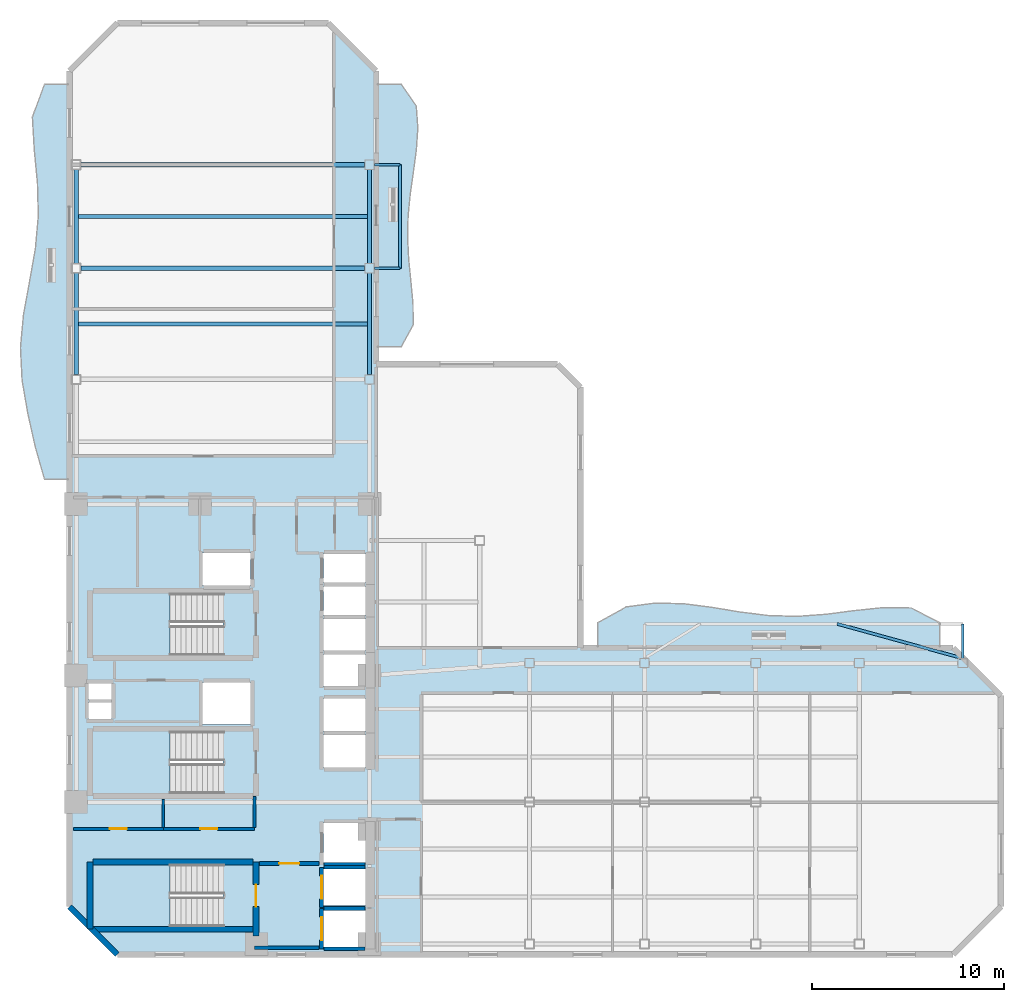
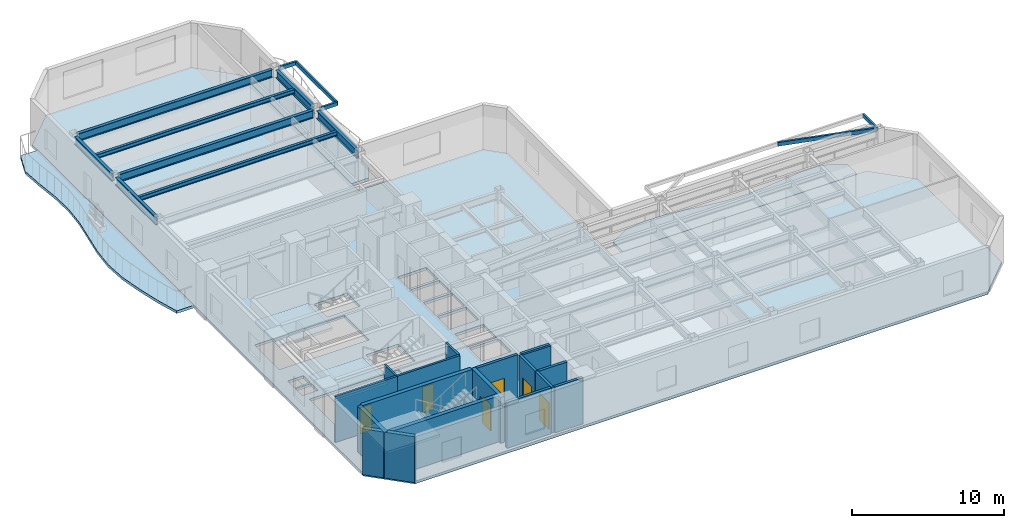
# One storey, part 2 of 9: 17 walls, 13 beams, 7 slabs, 6 doors, 6 openings, 3 elements without a shape of their own.
"""IFC4 building model written with IfcOpenShell, lengths in metres."""

from ifc_helpers import new_model, si_unit, direction, frame, frame_2d, origin, origin_2d, place, context, subcontext, project, spatial, polyline, rectangle, hollow_rectangle, i_section, outline, extrude, material, layer, layer_set, material_profile, profile_set, type_object, element, fill, aggregate, save


model = new_model("IFC4")

# Units and contexts
model_context = context("Model", 3, precision=1e-05, world=origin(), true_north=direction((0.0, 1.0)))
body_context = subcontext(model_context, "Body", "Model", "MODEL_VIEW")
ifc_project = project(units=[si_unit("LENGTHUNIT", "METRE"), si_unit("AREAUNIT", "SQUARE_METRE"), si_unit("VOLUMEUNIT", "CUBIC_METRE"), si_unit("PLANEANGLEUNIT", "RADIAN"), si_unit("MASSUNIT", "GRAM", prefix="KILO")], contexts=[model_context])

# Site, building, storey
site_placement = place(None, origin())
site = spatial("IfcSite", under=ifc_project, at=site_placement, CompositionType="ELEMENT")
building_placement = place(site_placement, origin())
building = spatial("IfcBuilding", under=site, at=building_placement, Name="Mawjaban Terraces University", CompositionType="ELEMENT")
storey_placement = place(building_placement, frame((0.0, 0.0, 107.300048828125)))
storey = spatial("IfcBuildingStorey", under=building, at=storey_placement, Name="L25", CompositionType="ELEMENT", Elevation=107.300048828125)

# Beams
ifc_material_1 = material(Name="Steel EN 10210-1 S355J2H", Category="steel")
ifc_material_profile_1 = material_profile(ifc_material_1, hollow_rectangle(XDim=0.14990234375, YDim=0.300048828125, WallThickness=0.012451171875, at=origin_2d()), Name="RHS300X150X12.5")
ifc_profile_set_1 = profile_set([ifc_material_profile_1], Name="Steel EN 10210-1 S355J2H")
beam_type_1 = type_object("IfcBeamType", Name="BalconyCantileverSpandrel_RHS", PredefinedType="SPANDREL", material=ifc_profile_set_1)
beam_1_placement = place(storey_placement, frame((68.60009765625, 15.449951171875, 3.5400390625), z_axis=(0.0, 1.0, 0.0), x_axis=(-1.0, 0.0, 0.0)))
element("IfcBeam", 1, at=beam_1_placement, inside=storey, type_object=beam_type_1, Name="L25 Exterior Outrigger BAL-L26-N.2", PredefinedType="SPANDREL", context=body_context, shape_type="SweptSolid", body=[
    extrude(hollow_rectangle(XDim=0.14990234375, YDim=0.300048828125, WallThickness=0.012451171875, at=origin_2d()), origin(), (0.0, 0.0, 1.0), 1.800048828125),
])
beam_2_placement = place(storey_placement, frame((68.60009765625, 15.449951171875, 3.5400390625), z_axis=(-0.964281358669, 0.264880088576, 0.0), x_axis=(-0.264880088576, -0.964281358669, 0.0)))
element("IfcBeam", 2, at=beam_2_placement, inside=storey, type_object=beam_type_1, Name="L25 Exterior Diagonal Strut BAL-L26-N.2", PredefinedType="SPANDREL", context=body_context, shape_type="SweptSolid", body=[
    extrude(hollow_rectangle(XDim=0.14990234375, YDim=0.300048828125, WallThickness=0.012451171875, at=origin_2d()), origin(), (0.0, 0.0, 1.0), 6.795654296875),
])
for number, where, z_axis, x_axis, name in (
    (3, (37.89990234375, 35.800048828125, 3.5400390625), (1.0, 0.0, 0.0), (0.0, 1.0, 0.0), "L25 Exterior Outrigger BAL-L26-E.1"),
    (4, (37.89990234375, 41.199951171875, 3.5400390625), (1.0, 0.0, 0.0), (0.0, 1.0, 0.0), "L25 Exterior Outrigger BAL-L26-E.2"),
):
    element("IfcBeam", number, at=place(storey_placement, frame(where, z_axis=z_axis, x_axis=x_axis)), inside=storey, type_object=beam_type_1, Name=name, PredefinedType="SPANDREL", context=body_context, shape_type="SweptSolid", body=[
        extrude(hollow_rectangle(XDim=0.14990234375, YDim=0.300048828125, WallThickness=0.012451171875, at=origin_2d()), origin(), (0.0, 0.0, 1.0), 1.35009765625),
    ])
beam_3_placement = place(storey_placement, frame((39.25, 35.800048828125, 3.5400390625), z_axis=(0.0, 1.0, 0.0), x_axis=(-1.0, 0.0, 0.0)))
element("IfcBeam", 5, at=beam_3_placement, inside=storey, type_object=beam_type_1, Name="L25 Exterior Edge Spandrel BAL-L26-E", PredefinedType="SPANDREL", context=body_context, shape_type="SweptSolid", body=[
    extrude(hollow_rectangle(XDim=0.14990234375, YDim=0.300048828125, WallThickness=0.012451171875, at=origin_2d()), origin(), (0.0, 0.0, 1.0), 5.39990234375),
])
ifc_material_2 = material(Name="Steel ASTM A572 Grade 50", Category="steel")
ifc_material_profile_2 = material_profile(ifc_material_2, i_section(OverallWidth=0.22998046875, OverallDepth=0.616943359375, WebThickness=0.01318359375, FlangeThickness=0.022216796875, at=origin_2d()), Name="W610X140")
ifc_profile_set_2 = profile_set([ifc_material_profile_2], Name="Steel ASTM A572 Grade 50")
beam_type_2 = type_object("IfcBeamType", Name="Beam_B_W610X140", PredefinedType="BEAM", material=ifc_profile_set_2)
for number, where, z_axis, x_axis, name in (
    (6, (22.60009765625, 35.800048828125, 3.380859375), (1.0, 0.0, 0.0), (0.0, 1.0, 0.0), "L25 Beam BM-L25-EW-15"),
    (7, (22.60009765625, 41.199951171875, 3.380859375), (1.0, 0.0, 0.0), (0.0, 1.0, 0.0), "L25 Beam BM-L25-EW-16"),
):
    element("IfcBeam", number, at=place(storey_placement, frame(where, z_axis=z_axis, x_axis=x_axis)), inside=storey, type_object=beam_type_2, Name=name, PredefinedType="BEAM", context=body_context, shape_type="SweptSolid", body=[
        extrude(i_section(OverallWidth=0.22998046875, OverallDepth=0.616943359375, WebThickness=0.01318359375, FlangeThickness=0.022216796875, at=origin_2d()), origin(), (0.0, 0.0, 1.0), 14.7998046875),
    ])
beam_4_placement = place(storey_placement, frame((22.35009765625, 30.25, 3.380859375), z_axis=(0.0, 1.0, 0.0), x_axis=(-1.0, 0.0, 0.0)))
element("IfcBeam", 8, at=beam_4_placement, inside=storey, type_object=beam_type_2, Name="L25 Beam BM-L25-NS-04", PredefinedType="BEAM", context=body_context, shape_type="SweptSolid", body=[
    extrude(i_section(OverallWidth=0.22998046875, OverallDepth=0.616943359375, WebThickness=0.01318359375, FlangeThickness=0.022216796875, at=origin_2d()), origin(), (0.0, 0.0, 1.0), 5.300048828125),
])
beam_5_placement = place(storey_placement, frame((22.35009765625, 36.050048828125, 3.380859375), z_axis=(0.0, 1.0, 0.0), x_axis=(-1.0, 0.0, 0.0)))
element("IfcBeam", 9, at=beam_5_placement, inside=storey, type_object=beam_type_2, Name="L25 Beam BM-L25-NS-05", PredefinedType="BEAM", context=body_context, shape_type="SweptSolid", body=[
    extrude(i_section(OverallWidth=0.22998046875, OverallDepth=0.616943359375, WebThickness=0.01318359375, FlangeThickness=0.022216796875, at=origin_2d()), origin(), (0.0, 0.0, 1.0), 4.89990234375),
])
beam_6_placement = place(storey_placement, frame((37.64990234375, 30.25, 3.380859375), z_axis=(0.0, 1.0, 0.0), x_axis=(-1.0, 0.0, 0.0)))
element("IfcBeam", 10, at=beam_6_placement, inside=storey, type_object=beam_type_2, Name="L25 Beam BM-L25-NS-10", PredefinedType="BEAM", context=body_context, shape_type="SweptSolid", body=[
    extrude(i_section(OverallWidth=0.22998046875, OverallDepth=0.616943359375, WebThickness=0.01318359375, FlangeThickness=0.022216796875, at=origin_2d()), origin(), (0.0, 0.0, 1.0), 5.300048828125),
])
beam_7_placement = place(storey_placement, frame((37.64990234375, 36.050048828125, 3.380859375), z_axis=(0.0, 1.0, 0.0), x_axis=(-1.0, 0.0, 0.0)))
element("IfcBeam", 11, at=beam_7_placement, inside=storey, type_object=beam_type_2, Name="L25 Beam BM-L25-NS-11", PredefinedType="BEAM", context=body_context, shape_type="SweptSolid", body=[
    extrude(i_section(OverallWidth=0.22998046875, OverallDepth=0.616943359375, WebThickness=0.01318359375, FlangeThickness=0.022216796875, at=origin_2d()), origin(), (0.0, 0.0, 1.0), 4.89990234375),
])
ifc_material_profile_3 = material_profile(ifc_material_2, i_section(OverallWidth=0.202880859375, OverallDepth=0.346923828125, WebThickness=0.0078125, FlangeThickness=0.013427734375, at=origin_2d()), Name="W360X64")
ifc_profile_set_3 = profile_set([ifc_material_profile_3], Name="Steel ASTM A572 Grade 50")
beam_type_3 = type_object("IfcBeamType", Name="Beam_J_W360X64", PredefinedType="JOIST", material=ifc_profile_set_3)
for number, where, z_axis, x_axis, name in (
    (12, (22.429931640625, 32.89990234375, 3.515869140625), (1.0, 0.0, 0.0), (0.0, 1.0, 0.0), "L25 Composite Joist JST-L25-19"),
    (13, (22.429931640625, 38.5, 3.515869140625), (1.0, 0.0, 0.0), (0.0, 1.0, 0.0), "L25 Composite Joist JST-L25-20"),
):
    element("IfcBeam", number, at=place(storey_placement, frame(where, z_axis=z_axis, x_axis=x_axis)), inside=storey, type_object=beam_type_3, Name=name, PredefinedType="JOIST", context=body_context, shape_type="SweptSolid", body=[
        extrude(i_section(OverallWidth=0.202880859375, OverallDepth=0.346923828125, WebThickness=0.0078125, FlangeThickness=0.013427734375, at=origin_2d()), origin(), (0.0, 0.0, 1.0), 15.14013671875),
    ])

# Slabs
ifc_material_3 = material(Name="Concrete C40/50", Category="concrete")
ifc_layer_1 = layer(ifc_material_3, 0.2099609375)
ifc_layer_set_1 = layer_set([ifc_layer_1], Name="Concrete C40/50")
slab_type_1 = type_object("IfcSlabType", Name="BalconySlab_210_Ext", PredefinedType="FLOOR", material=ifc_layer_set_1)
slab_1_placement = place(storey_placement, frame((0.0, 0.0, -0.2099609375)))
element("IfcSlab", 14, at=slab_1_placement, inside=storey, type_object=slab_type_1, Name="L25 Planted Balcony Slab west", PredefinedType="FLOOR", context=body_context, shape_type="SweptSolid", body=[
    extrude(outline(polyline([(22.010009765625, 24.800048828125), (22.010009765625, 45.39990234375), (20.699951171875, 45.39990234375), (20.06689453125, 43.68310546875), (20.166015625, 41.967041015625), (20.330078125, 40.25), (20.3759765625, 38.532958984375), (20.221923828125, 36.81689453125), (19.916015625, 35.10009765625), (19.60205078125, 33.383056640625), (19.444091796875, 31.6669921875), (19.529052734375, 29.949951171875), (19.825927734375, 28.23291015625), (20.208984375, 26.51708984375), (20.699951171875, 24.800048828125), (22.010009765625, 24.800048828125)])), origin(), (0.0, 0.0, 1.0), 0.2099609375),
])
slab_2_placement = place(storey_placement, frame((0.0, 0.0, -0.2099609375)))
element("IfcSlab", 15, at=slab_2_placement, inside=storey, type_object=slab_type_1, Name="L25 Planted Balcony Slab inner_north", PredefinedType="FLOOR", context=body_context, shape_type="SweptSolid", body=[
    extrude(outline(polyline([(49.555908203125, 15.989990234375), (67.39990234375, 15.989990234375), (67.39990234375, 17.300048828125), (65.9130859375, 18.077880859375), (64.426025390625, 18.094970703125), (62.93896484375, 17.93994140625), (61.451904296875, 17.748046875), (59.965087890625, 17.639892578125), (58.47802734375, 17.681884765625), (56.990966796875, 17.865966796875), (55.50390625, 18.112060546875), (54.01708984375, 18.302001953125), (52.530029296875, 18.330078125), (51.04296875, 18.135009765625), (49.555908203125, 17.300048828125), (49.555908203125, 15.989990234375)])), origin(), (0.0, 0.0, 1.0), 0.2099609375),
])
slab_3_placement = place(storey_placement, frame((0.0, 0.0, -0.2099609375)))
element("IfcSlab", 16, at=slab_3_placement, inside=storey, type_object=slab_type_1, Name="L25 Planted Balcony Slab inner_east", PredefinedType="FLOOR", context=body_context, shape_type="SweptSolid", body=[
    extrude(outline(polyline([(39.300048828125, 31.699951171875), (39.929931640625, 32.842041015625), (39.91796875, 33.98291015625), (39.80908203125, 35.125), (39.695068359375, 36.26708984375), (39.636962890625, 37.407958984375), (39.6650390625, 38.550048828125), (39.779052734375, 39.69189453125), (39.94189453125, 40.8330078125), (40.095947265625, 41.97509765625), (40.172119140625, 43.116943359375), (40.092041015625, 44.258056640625), (39.300048828125, 45.39990234375), (37.989990234375, 45.39990234375), (37.989990234375, 31.699951171875), (39.300048828125, 31.699951171875)])), origin(), (0.0, 0.0, 1.0), 0.2099609375),
])
ifc_layer_2 = layer(ifc_material_3, 0.2099609375)
ifc_layer_set_2 = layer_set([ifc_layer_2], Name="Concrete C40/50")
slab_type_2 = type_object("IfcSlabType", Name="CompositeSlab_210", PredefinedType="FLOOR", material=ifc_layer_set_2)
slab_4_placement = place(storey_placement, frame((0.0, 0.0, -0.2099609375)))
element("IfcSlab", 17, at=slab_4_placement, inside=storey, type_object=slab_type_2, Name="L25 Primary Structural Slab", PredefinedType="FLOOR", context=body_context, shape_type="SweptSolid", body=[
    extrude(outline(polyline([(24.5, 0.0), (68.10009765625, 0.0), (70.60009765625, 2.5), (70.60009765625, 13.5), (68.10009765625, 16.0), (48.656005859375, 16.0), (48.656005859375, 29.60009765625), (47.4560546875, 30.800048828125), (38.0, 30.800048828125), (38.0, 46.10009765625), (35.5, 48.60009765625), (24.5, 48.60009765625), (22.0, 46.10009765625), (22.0, 2.5), (24.5, 0.0)]), holes=[polyline([(30.014892578125, 4.699951171875), (23.199951171875, 4.699951171875), (23.199951171875, 1.449951171875), (30.014892578125, 1.449951171875), (30.014892578125, 4.699951171875)]), polyline([(30.014892578125, 18.85009765625), (23.199951171875, 18.85009765625), (23.199951171875, 15.60009765625), (30.014892578125, 15.60009765625), (30.014892578125, 18.85009765625)]), polyline([(30.014892578125, 11.64990234375), (23.199951171875, 11.64990234375), (23.199951171875, 8.39990234375), (30.014892578125, 8.39990234375), (30.014892578125, 11.64990234375)]), polyline([(35.25, 0.39990234375), (37.449951171875, 0.39990234375), (37.449951171875, 2.300048828125), (35.25, 2.300048828125), (35.25, 0.39990234375)]), polyline([(35.25, 2.550048828125), (37.449951171875, 2.550048828125), (37.449951171875, 4.449951171875), (35.25, 4.449951171875), (35.25, 2.550048828125)]), polyline([(35.25, 4.800048828125), (37.449951171875, 4.800048828125), (37.449951171875, 6.85009765625), (35.25, 6.85009765625), (35.25, 4.800048828125)]), polyline([(35.25, 9.75), (37.449951171875, 9.75), (37.449951171875, 11.449951171875), (35.25, 11.449951171875), (35.25, 9.75)]), polyline([(35.25, 11.64990234375), (37.449951171875, 11.64990234375), (37.449951171875, 13.35009765625), (35.25, 13.35009765625), (35.25, 11.64990234375)]), polyline([(28.949951171875, 12.0), (31.449951171875, 12.0), (31.449951171875, 14.199951171875), (28.949951171875, 14.199951171875), (28.949951171875, 12.0)]), polyline([(35.25, 14.0), (37.449951171875, 14.0), (37.449951171875, 15.64990234375), (35.25, 15.64990234375), (35.25, 14.0)]), polyline([(35.25, 15.85009765625), (37.449951171875, 15.85009765625), (37.449951171875, 17.5), (35.25, 17.5), (35.25, 15.85009765625)]), polyline([(35.25, 17.699951171875), (37.449951171875, 17.699951171875), (37.449951171875, 19.199951171875), (35.25, 19.199951171875), (35.25, 17.699951171875)]), polyline([(35.25, 19.39990234375), (37.449951171875, 19.39990234375), (37.449951171875, 20.89990234375), (35.25, 20.89990234375), (35.25, 19.39990234375)]), polyline([(28.949951171875, 19.25), (31.449951171875, 19.25), (31.449951171875, 20.949951171875), (28.949951171875, 20.949951171875), (28.949951171875, 19.25)]), polyline([(23.0, 12.25), (24.199951171875, 12.25), (24.199951171875, 13.14990234375), (23.0, 13.14990234375), (23.0, 12.25)]), polyline([(23.0, 13.300048828125), (24.199951171875, 13.300048828125), (24.199951171875, 14.179931640625), (23.0, 14.179931640625), (23.0, 13.300048828125)])]), origin(), (0.0, 0.0, 1.0), 0.2099609375),
])

# Stair, slab
stair_type = type_object("IfcStairType", Name="Stair_Core1550_H39", PredefinedType="HALF_TURN_STAIR", material=ifc_material_3)
stair_1_placement = place(storey_placement, origin())
stair_1 = element("IfcStair", 18, at=stair_1_placement, inside=storey, type_object=stair_type, Name="L25 Core Exit Stair 1", PredefinedType="HALF_TURN_STAIR")
ifc_layer_3 = layer(ifc_material_3, 0.199951171875)
ifc_layer_set_3 = layer_set([ifc_layer_3], Name="Concrete C40/50")
slab_type_3 = type_object("IfcSlabType", Name="StairLandingSlab_200", PredefinedType="LANDING", material=ifc_layer_set_3)
slab_5_placement = place(storey_placement, frame((0.0, 0.0, 1.75)))
slab_5 = element("IfcSlab", 19, at=slab_5_placement, type_object=slab_type_3, Name="ST-1 landing 1", PredefinedType="LANDING", context=body_context, shape_type="SweptSolid", body=[
    extrude(outline(polyline([(27.25, 4.699951171875), (23.199951171875, 4.699951171875), (23.199951171875, 1.449951171875), (27.25, 1.449951171875), (27.25, 4.699951171875)])), origin(), (0.0, 0.0, 1.0), 0.199951171875),
])
aggregate(stair_1, [slab_5])

stair_2_placement = place(storey_placement, origin())
stair_2 = element("IfcStair", 20, at=stair_2_placement, inside=storey, type_object=stair_type, Name="L25 Core Exit Stair 2", PredefinedType="HALF_TURN_STAIR")
slab_6_placement = place(storey_placement, frame((0.0, 0.0, 1.75)))
slab_6 = element("IfcSlab", 21, at=slab_6_placement, type_object=slab_type_3, Name="ST-2 landing 1", PredefinedType="LANDING", context=body_context, shape_type="SweptSolid", body=[
    extrude(outline(polyline([(27.25, 18.85009765625), (23.199951171875, 18.85009765625), (23.199951171875, 15.60009765625), (27.25, 15.60009765625), (27.25, 18.85009765625)])), origin(), (0.0, 0.0, 1.0), 0.199951171875),
])
aggregate(stair_2, [slab_6])

stair_3_placement = place(storey_placement, origin())
stair_3 = element("IfcStair", 22, at=stair_3_placement, inside=storey, type_object=stair_type, Name="L25 Core Exit Stair 3", PredefinedType="HALF_TURN_STAIR")
slab_7_placement = place(storey_placement, frame((0.0, 0.0, 1.75)))
slab_7 = element("IfcSlab", 23, at=slab_7_placement, type_object=slab_type_3, Name="ST-3 landing 1", PredefinedType="LANDING", context=body_context, shape_type="SweptSolid", body=[
    extrude(outline(polyline([(27.25, 11.64990234375), (23.199951171875, 11.64990234375), (23.199951171875, 8.39990234375), (27.25, 8.39990234375), (27.25, 11.64990234375)])), origin(), (0.0, 0.0, 1.0), 0.199951171875),
])
aggregate(stair_3, [slab_7])

# Wall, opening, door
ifc_material_4 = material(Name="Fire-rated gypsum board on steel stud", Category="steel")
ifc_layer_4 = layer(ifc_material_4, 0.159912109375)
ifc_layer_set_4 = layer_set([ifc_layer_4], Name="Fire-rated gypsum board on steel stud")
wall_type_1 = type_object("IfcWallType", Name="CorridorPartition_160", PredefinedType="PARTITIONING", material=ifc_layer_set_4)
wall_1_placement = place(storey_placement, frame((26.89990234375, 6.550048828125, 0.0), z_axis=(0.0, 0.0, 1.0), x_axis=(-1.0, 0.0, 0.0)))
wall_1 = element("IfcWall", 24, at=wall_1_placement, inside=storey, type_object=wall_type_1, Name="L25 Core Washroom Lobby Partition 4", PredefinedType="PARTITIONING", context=body_context, shape_type="SweptSolid", body=[
    extrude(rectangle(XDim=4.699951171875, YDim=0.159912109375, at=frame_2d((2.35009765625, 0.0))), origin(), (0.0, 0.0, 1.0), 3.68994140625),
])
opening_1_placement = place(wall_1_placement, frame((1.909912109375, 0.0, 0.0)))
opening_1 = element("IfcOpeningElement", 25, at=opening_1_placement, cuts=wall_1, Name="Opening ID-088", PredefinedType="OPENING", context=body_context, shape_type="SweptSolid", body=[
    extrude(rectangle(XDim=0.8798828125, YDim=2.10009765625, at=frame_2d((0.43994140625, 1.050048828125))), frame((0.0, 0.08984375, 0.0), z_axis=(0.0, -1.0, 0.0), x_axis=(1.0, 0.0, 0.0)), (0.0, 0.0, 1.0), 0.179931640625),
])
ifc_material_5 = material(Name="Powder-coated steel frame and solid acoustic timber leaf", Category="steel")
door_type_1 = type_object("IfcDoorType", Name="ToiletDoor_880x2100", OperationType="NOTDEFINED", PredefinedType="DOOR", material=ifc_material_5)
door_1_placement = place(opening_1_placement, origin())
door_1 = element("IfcDoor", 26, at=door_1_placement, inside=storey, type_object=door_type_1, Name="L25 Male Toilet Door", OperationType="SINGLE_SWING_RIGHT", OverallHeight=2.10009765625, OverallWidth=0.8798828125, PredefinedType="DOOR", context=body_context, shape_type="SweptSolid", body=[
    extrude(rectangle(XDim=0.8798828125, YDim=2.10009765625, at=frame_2d((0.43994140625, 1.050048828125))), frame((0.0, 0.02490234375, 0.0), z_axis=(0.0, -1.0, 0.0), x_axis=(1.0, 0.0, 0.0)), (0.0, 0.0, 1.0), 0.050048828125),
])
fill(opening_1, door_1)

wall_2_placement = place(storey_placement, frame((31.64990234375, 6.550048828125, 0.0), z_axis=(0.0, 0.0, 1.0), x_axis=(-1.0, 0.0, 0.0)))
wall_2 = element("IfcWall", 27, at=wall_2_placement, inside=storey, type_object=wall_type_1, Name="L25 Core Washroom Lobby Partition 7", PredefinedType="PARTITIONING", context=body_context, shape_type="SweptSolid", body=[
    extrude(rectangle(XDim=4.75, YDim=0.159912109375, at=frame_2d((2.375, 0.0))), origin(), (0.0, 0.0, 1.0), 3.68994140625),
])
opening_2_placement = place(wall_2_placement, frame((1.93505859375, 0.0, 0.0)))
opening_2 = element("IfcOpeningElement", 28, at=opening_2_placement, cuts=wall_2, Name="Opening ID-088", PredefinedType="OPENING", context=body_context, shape_type="SweptSolid", body=[
    extrude(rectangle(XDim=0.8798828125, YDim=2.10009765625, at=frame_2d((0.43994140625, 1.050048828125))), frame((0.0, 0.08984375, 0.0), z_axis=(0.0, -1.0, 0.0), x_axis=(1.0, 0.0, 0.0)), (0.0, 0.0, 1.0), 0.179931640625),
])
door_2_placement = place(opening_2_placement, origin())
door_2 = element("IfcDoor", 29, at=door_2_placement, inside=storey, type_object=door_type_1, Name="L25 Accessible Toilet Door", OperationType="SINGLE_SWING_LEFT", OverallHeight=2.10009765625, OverallWidth=0.8798828125, PredefinedType="DOOR", context=body_context, shape_type="SweptSolid", body=[
    extrude(rectangle(XDim=0.8798828125, YDim=2.10009765625, at=frame_2d((0.43994140625, 1.050048828125))), frame((0.0, 0.02490234375, 0.0), z_axis=(0.0, -1.0, 0.0), x_axis=(1.0, 0.0, 0.0)), (0.0, 0.0, 1.0), 0.050048828125),
])
fill(opening_2, door_2)

# Walls
wall_3_placement = place(storey_placement, frame((31.64990234375, 8.239990234375, 0.0), z_axis=(0.0, 0.0, 1.0), x_axis=(0.0, -1.0, 0.0)))
element("IfcWall", 30, at=wall_3_placement, inside=storey, type_object=wall_type_1, Name="L25 Passenger Lift Lobby Partition 29", PredefinedType="PARTITIONING", context=body_context, shape_type="SweptSolid", body=[
    extrude(rectangle(XDim=1.614990234375, YDim=0.159912109375, at=frame_2d((0.8076171875, 0.0))), origin(), (0.0, 0.0, 1.0), 3.68994140625),
])
ifc_material_6 = material(Name="Insulated terracotta rainscreen on concrete backup C40/50", Category="masonry")
ifc_layer_5 = layer(ifc_material_6, 0.300048828125)
ifc_layer_set_5 = layer_set([ifc_layer_5], Name="Insulated terracotta rainscreen on concrete backup C40/50")
wall_type_2 = type_object("IfcWallType", Name="ExtTerracottaWall_300", PredefinedType="SOLIDWALL", material=ifc_layer_set_5)
wall_4_placement = place(storey_placement, frame((22.0, 2.5, 0.0), z_axis=(0.0, 0.0, 1.0), x_axis=(0.707106781187, -0.707106781187, 0.0)))
element("IfcWall", 31, at=wall_4_placement, inside=storey, type_object=wall_type_2, Name="L25 Exterior Terracotta Wall 14", PredefinedType="SOLIDWALL", context=body_context, shape_type="SweptSolid", body=[
    extrude(rectangle(XDim=3.53564453125, YDim=0.300048828125, at=frame_2d((1.767822265625, 0.0))), origin(), (0.0, 0.0, 1.0), 3.68994140625),
])

# Wall, opening, door
ifc_layer_6 = layer(ifc_material_3, 0.199951171875)
ifc_layer_set_6 = layer_set([ifc_layer_6], Name="Concrete C40/50")
wall_type_3 = type_object("IfcWallType", Name="FireLobbyWall_200", PredefinedType="SOLIDWALL", material=ifc_layer_set_6)
wall_5_placement = place(storey_placement, frame((35.14990234375, 2.39990234375, 0.0), z_axis=(0.0, 0.0, 1.0), x_axis=(0.0, -1.0, 0.0)))
wall_5 = element("IfcWall", 32, at=wall_5_placement, inside=storey, type_object=wall_type_3, Name="L25 Lift FL-1 Hoistway Wall West", PredefinedType="SOLIDWALL", context=body_context, shape_type="SweptSolid", body=[
    extrude(rectangle(XDim=2.099853515625, YDim=0.199951171875, at=frame_2d((1.0498046875, 0.0))), origin(), (0.0, 0.0, 1.0), 3.68994140625),
])
opening_3_placement = place(wall_5_placement, frame((0.449951171875, 0.0, 0.0)))
opening_3 = element("IfcOpeningElement", 33, at=opening_3_placement, cuts=wall_5, Name="Opening LD-FL-1", PredefinedType="OPENING", context=body_context, shape_type="SweptSolid", body=[
    extrude(rectangle(XDim=1.199951171875, YDim=2.14990234375, at=frame_2d((0.60009765625, 1.074951171875))), frame((0.0, 0.10986328125, 0.0), z_axis=(0.0, -1.0, 0.0), x_axis=(1.0, 0.0, 0.0)), (0.0, 0.0, 1.0), 0.219970703125),
])
ifc_material_7 = material(Name="Powder-coated steel frame and fire-rated steel-faced leaf", Category="steel")
door_type_2 = type_object("IfcDoorType", Name="LiftLandingFSAE_1200x2150", OperationType="NOTDEFINED", PredefinedType="DOOR", material=ifc_material_7)
door_3_placement = place(opening_3_placement, origin())
door_3 = element("IfcDoor", 34, at=door_3_placement, inside=storey, type_object=door_type_2, Name="L25 Lift FL-1 Sliding Landing Door", OperationType="DOUBLE_DOOR_SLIDING", OverallHeight=2.14990234375, OverallWidth=1.199951171875, PredefinedType="DOOR", context=body_context, shape_type="SweptSolid", body=[
    extrude(rectangle(XDim=1.199951171875, YDim=2.14990234375, at=frame_2d((0.60009765625, 1.074951171875))), frame((0.0, 0.02490234375, 0.0), z_axis=(0.0, -1.0, 0.0), x_axis=(1.0, 0.0, 0.0)), (0.0, 0.0, 1.0), 0.050048828125),
])
fill(opening_3, door_3)

# Walls
for number, where, z_axis, x_axis, name in (
    (35, (35.280029296875, 0.300048828125, 0.0), (0.0, 0.0, 1.0), (1.0, 0.0, 0.0), "L25 Lift FL-1 Hoistway Wall South"),
    (36, (37.419921875, 2.39990234375, 0.0), (0.0, 0.0, 1.0), (-1.0, 0.0, 0.0), "L25 Lift FL-1 Hoistway Wall North"),
):
    element("IfcWall", number, at=place(storey_placement, frame(where, z_axis=z_axis, x_axis=x_axis)), inside=storey, type_object=wall_type_3, Name=name, PredefinedType="SOLIDWALL", context=body_context, shape_type="SweptSolid", body=[
        extrude(rectangle(XDim=2.139892578125, YDim=0.199951171875, at=frame_2d((1.06982421875, 0.0))), origin(), (0.0, 0.0, 1.0), 3.68994140625),
    ])

# Wall, opening, door
wall_6_placement = place(storey_placement, frame((35.14990234375, 4.550048828125, 0.0), z_axis=(0.0, 0.0, 1.0), x_axis=(0.0, -1.0, 0.0)))
wall_6 = element("IfcWall", 37, at=wall_6_placement, inside=storey, type_object=wall_type_3, Name="L25 Lift FL-2 Hoistway Wall West", PredefinedType="SOLIDWALL", context=body_context, shape_type="SweptSolid", body=[
    extrude(rectangle(XDim=2.10009765625, YDim=0.199951171875, at=frame_2d((1.050048828125, 0.0))), origin(), (0.0, 0.0, 1.0), 3.68994140625),
])
opening_4_placement = place(wall_6_placement, frame((0.449951171875, 0.0, 0.0)))
opening_4 = element("IfcOpeningElement", 38, at=opening_4_placement, cuts=wall_6, Name="Opening LD-FL-2", PredefinedType="OPENING", context=body_context, shape_type="SweptSolid", body=[
    extrude(rectangle(XDim=1.199951171875, YDim=2.14990234375, at=frame_2d((0.60009765625, 1.074951171875))), frame((0.0, 0.10986328125, 0.0), z_axis=(0.0, -1.0, 0.0), x_axis=(1.0, 0.0, 0.0)), (0.0, 0.0, 1.0), 0.219970703125),
])
door_4_placement = place(opening_4_placement, origin())
door_4 = element("IfcDoor", 39, at=door_4_placement, inside=storey, type_object=door_type_2, Name="L25 Lift FL-2 Sliding Landing Door", OperationType="DOUBLE_DOOR_SLIDING", OverallHeight=2.14990234375, OverallWidth=1.199951171875, PredefinedType="DOOR", context=body_context, shape_type="SweptSolid", body=[
    extrude(rectangle(XDim=1.199951171875, YDim=2.14990234375, at=frame_2d((0.60009765625, 1.074951171875))), frame((0.0, 0.02490234375, 0.0), z_axis=(0.0, -1.0, 0.0), x_axis=(1.0, 0.0, 0.0)), (0.0, 0.0, 1.0), 0.050048828125),
])
fill(opening_4, door_4)

# Walls
for number, where, z_axis, x_axis, name in (
    (40, (37.419921875, 4.550048828125, 0.0), (0.0, 0.0, 1.0), (-1.0, 0.0, 0.0), "L25 Lift FL-2 Hoistway Wall North"),
    (41, (35.280029296875, 4.699951171875, 0.0), (0.0, 0.0, 1.0), (1.0, 0.0, 0.0), "L25 Lift SL-1 Hoistway Wall South"),
):
    element("IfcWall", number, at=place(storey_placement, frame(where, z_axis=z_axis, x_axis=x_axis)), inside=storey, type_object=wall_type_3, Name=name, PredefinedType="SOLIDWALL", context=body_context, shape_type="SweptSolid", body=[
        extrude(rectangle(XDim=2.139892578125, YDim=0.199951171875, at=frame_2d((1.06982421875, 0.0))), origin(), (0.0, 0.0, 1.0), 3.68994140625),
    ])
wall_7_placement = place(storey_placement, frame((31.64990234375, 0.35009765625, 0.0), z_axis=(0.0, 0.0, 1.0), x_axis=(1.0, 0.0, 0.0)))
element("IfcWall", 42, at=wall_7_placement, inside=storey, type_object=wall_type_3, Name="L25 Firefighting Lift Lobby Partition 6", PredefinedType="SOLIDWALL", context=body_context, shape_type="SweptSolid", body=[
    extrude(rectangle(XDim=3.3701171875, YDim=0.199951171875, at=frame_2d((1.68505859375, 0.0))), origin(), (0.0, 0.0, 1.0), 3.68994140625),
])

# Wall, opening, door
wall_8_placement = place(storey_placement, frame((35.02001953125, 4.75, 0.0), z_axis=(0.0, 0.0, 1.0), x_axis=(-1.0, 0.0, 0.0)))
wall_8 = element("IfcWall", 43, at=wall_8_placement, inside=storey, type_object=wall_type_3, Name="L25 Firefighting Lift Lobby Partition 9", PredefinedType="SOLIDWALL", context=body_context, shape_type="SweptSolid", body=[
    extrude(rectangle(XDim=3.110107421875, YDim=0.199951171875, at=frame_2d((1.55517578125, 0.0))), origin(), (0.0, 0.0, 1.0), 3.68994140625),
])
opening_5_placement = place(wall_8_placement, frame((1.030029296875, 0.0, 0.0)))
opening_5 = element("IfcOpeningElement", 44, at=opening_5_placement, cuts=wall_8, Name="Opening FD-105", PredefinedType="OPENING", context=body_context, shape_type="SweptSolid", body=[
    extrude(rectangle(XDim=1.050048828125, YDim=2.14990234375, at=frame_2d((0.52490234375, 1.074951171875))), frame((0.0, 0.10986328125, 0.0), z_axis=(0.0, -1.0, 0.0), x_axis=(1.0, 0.0, 0.0)), (0.0, 0.0, 1.0), 0.219970703125),
])
door_type_3 = type_object("IfcDoorType", Name="FireLobbyDoor_1050x2150", OperationType="NOTDEFINED", PredefinedType="DOOR", material=ifc_material_7)
door_5_placement = place(opening_5_placement, origin())
door_5 = element("IfcDoor", 45, at=door_5_placement, inside=storey, type_object=door_type_3, Name="L25 Firefighting Lift Lobby Door", OperationType="SINGLE_SWING_RIGHT", OverallHeight=2.14990234375, OverallWidth=1.050048828125, PredefinedType="DOOR", context=body_context, shape_type="SweptSolid", body=[
    extrude(rectangle(XDim=1.050048828125, YDim=2.14990234375, at=frame_2d((0.52490234375, 1.074951171875))), frame((0.0, 0.02490234375, 0.0), z_axis=(0.0, -1.0, 0.0), x_axis=(1.0, 0.0, 0.0)), (0.0, 0.0, 1.0), 0.050048828125),
])
fill(opening_5, door_5)

# Walls
ifc_material_8 = material(Name="Concrete C60/75", Category="concrete")
ifc_layer_7 = layer(ifc_material_8, 0.300048828125)
ifc_layer_set_7 = layer_set([ifc_layer_7], Name="Concrete C60/75")
wall_type_4 = type_object("IfcWallType", Name="StairShaftWall_300", PredefinedType="SHEAR", material=ifc_layer_set_7)
wall_9_placement = place(storey_placement, frame((31.580078125, 4.830078125, 0.0), z_axis=(0.0, 0.0, 1.0), x_axis=(-1.0, 0.0, 0.0)))
element("IfcWall", 46, at=wall_9_placement, inside=storey, type_object=wall_type_4, Name="L25 ST-1 Stair Shaft Wall 1", PredefinedType="SHEAR", context=body_context, shape_type="SweptSolid", body=[
    extrude(rectangle(XDim=8.360107421875, YDim=0.300048828125, at=frame_2d((4.18017578125, 0.0))), origin(), (0.0, 0.0, 1.0), 3.68994140625),
])
wall_10_placement = place(storey_placement, frame((23.070068359375, 4.830078125, 0.0), z_axis=(0.0, 0.0, 1.0), x_axis=(0.0, -1.0, 0.0)))
element("IfcWall", 47, at=wall_10_placement, inside=storey, type_object=wall_type_4, Name="L25 ST-1 Stair Shaft Wall 2", PredefinedType="SHEAR", context=body_context, shape_type="SweptSolid", body=[
    extrude(rectangle(XDim=3.510009765625, YDim=0.300048828125, at=frame_2d((1.7548828125, 0.0))), origin(), (0.0, 0.0, 1.0), 3.68994140625),
])
wall_11_placement = place(storey_placement, frame((23.219970703125, 1.320068359375, 0.0), z_axis=(0.0, 0.0, 1.0), x_axis=(1.0, 0.0, 0.0)))
element("IfcWall", 48, at=wall_11_placement, inside=storey, type_object=wall_type_4, Name="L25 ST-1 Stair Shaft Wall 3", PredefinedType="SHEAR", context=body_context, shape_type="SweptSolid", body=[
    extrude(rectangle(XDim=8.360107421875, YDim=0.300048828125, at=frame_2d((4.18017578125, 0.0))), origin(), (0.0, 0.0, 1.0), 3.68994140625),
])

# Wall, opening, door
wall_12_placement = place(storey_placement, frame((31.72998046875, 0.9599609375, 0.0), z_axis=(0.0, 0.0, 1.0), x_axis=(0.0, 1.0, 0.0)))
wall_12 = element("IfcWall", 49, at=wall_12_placement, inside=storey, type_object=wall_type_4, Name="L25 ST-1 Stair Shaft Wall 4", PredefinedType="SHEAR", context=body_context, shape_type="SweptSolid", body=[
    extrude(rectangle(XDim=3.8701171875, YDim=0.300048828125, at=frame_2d((1.93505859375, 0.0))), origin(), (0.0, 0.0, 1.0), 3.68994140625),
])
opening_6_placement = place(wall_12_placement, frame((1.5400390625, 0.0, 0.0)))
opening_6 = element("IfcOpeningElement", 50, at=opening_6_placement, cuts=wall_12, Name="Opening FD-115", PredefinedType="OPENING", context=body_context, shape_type="SweptSolid", body=[
    extrude(rectangle(XDim=1.14990234375, YDim=2.14990234375, at=frame_2d((0.574951171875, 1.074951171875))), frame((0.0, 0.159912109375, 0.0), z_axis=(0.0, -1.0, 0.0), x_axis=(1.0, 0.0, 0.0)), (0.0, 0.0, 1.0), 0.320068359375),
])
door_type_4 = type_object("IfcDoorType", Name="FireStairDoor_1150x2150", OperationType="NOTDEFINED", PredefinedType="DOOR", material=ifc_material_7)
door_6_placement = place(opening_6_placement, origin())
door_6 = element("IfcDoor", 51, at=door_6_placement, inside=storey, type_object=door_type_4, Name="L25 ST-1 Pressurised Stair Fire Door", OperationType="SINGLE_SWING_LEFT", OverallHeight=2.14990234375, OverallWidth=1.14990234375, PredefinedType="DOOR", context=body_context, shape_type="SweptSolid", body=[
    extrude(rectangle(XDim=1.14990234375, YDim=2.14990234375, at=frame_2d((0.574951171875, 1.074951171875))), frame((0.0, 0.02490234375, 0.0), z_axis=(0.0, -1.0, 0.0), x_axis=(1.0, 0.0, 0.0)), (0.0, 0.0, 1.0), 0.050048828125),
])
fill(opening_6, door_6)

# Wall
ifc_material_9 = material(Name="Cement-board wet-room partition", Category="masonry")
ifc_layer_8 = layer(ifc_material_9, 0.135009765625)
ifc_layer_set_8 = layer_set([ifc_layer_8], Name="Cement-board wet-room partition")
wall_type_5 = type_object("IfcWallType", Name="WetRoomPartition_135", PredefinedType="PARTITIONING", material=ifc_layer_set_8)
wall_13_placement = place(storey_placement, frame((26.89990234375, 6.625, 0.0), z_axis=(0.0, 0.0, 1.0), x_axis=(0.0, 1.0, 0.0)))
element("IfcWall", 52, at=wall_13_placement, inside=storey, type_object=wall_type_5, Name="L25 Male Toilet Partition 27", PredefinedType="PARTITIONING", context=body_context, shape_type="SweptSolid", body=[
    extrude(rectangle(XDim=1.465087890625, YDim=0.135009765625, at=frame_2d((0.732421875, 0.0))), origin(), (0.0, 0.0, 1.0), 3.68994140625),
])

save(model, "model.ifc")
